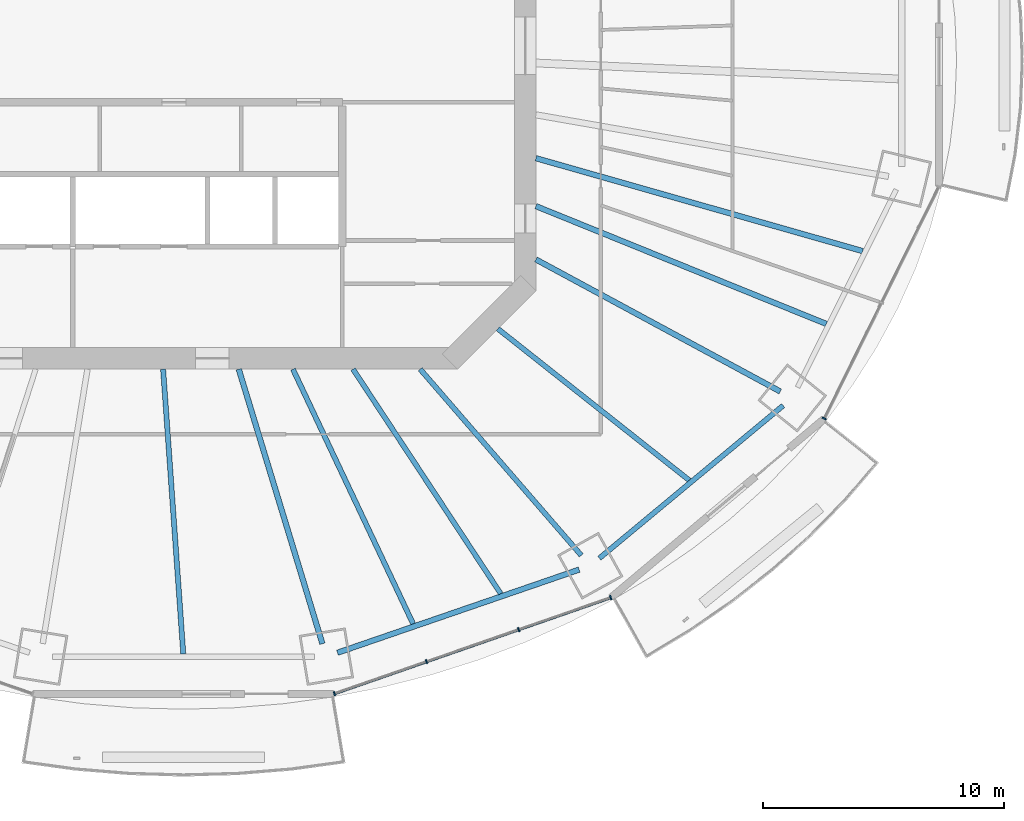
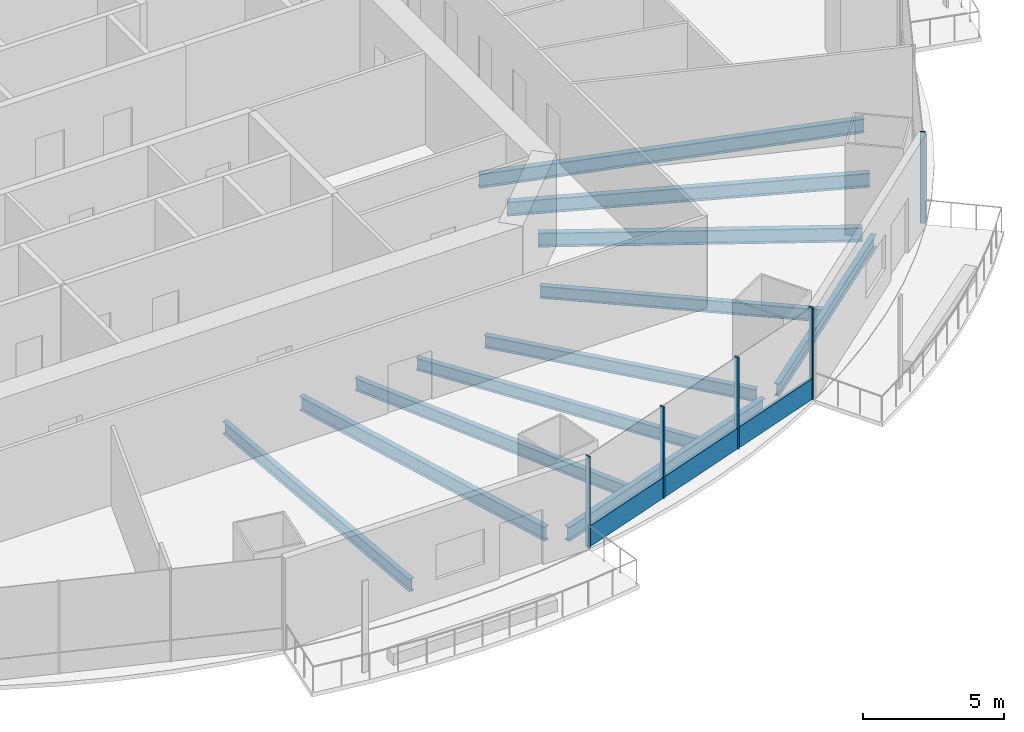
# One storey, part 4 of 20: 11 beams, 6 members, 2 elements without a shape of their own.
"""IFC4 building model written with IfcOpenShell, lengths in metres."""

from ifc_helpers import new_model, si_unit, direction, frame, origin, origin_2d, place, context, subcontext, project, spatial, rectangle, i_section, extrude, material, material_profile, profile_set, type_object, element, aggregate, save


model = new_model("IFC4")

# Units and contexts
model_context = context("Model", 3, precision=1e-05, world=origin(), true_north=direction((0.0, 1.0)))
body_context = subcontext(model_context, "Body", "Model", "MODEL_VIEW")
ifc_project = project(units=[si_unit("LENGTHUNIT", "METRE"), si_unit("AREAUNIT", "SQUARE_METRE"), si_unit("VOLUMEUNIT", "CUBIC_METRE"), si_unit("PLANEANGLEUNIT", "RADIAN"), si_unit("MASSUNIT", "GRAM", prefix="KILO")], contexts=[model_context])

# Site, building, storey
site_placement = place(None, origin())
site = spatial("IfcSite", under=ifc_project, at=site_placement, CompositionType="ELEMENT")
building_placement = place(site_placement, origin())
building = spatial("IfcBuilding", under=site, at=building_placement, Name="Marenthal Gate Tower", CompositionType="ELEMENT")
storey_placement = place(building_placement, frame((0.0, 0.0, 190.10009765625)))
storey = spatial("IfcBuildingStorey", under=building, at=storey_placement, Name="L41", CompositionType="ELEMENT", Elevation=190.10009765625)

# Curtain wall, members
ifc_material_1 = material(Name="Aluminium and glass", Category="aluminium")
curtain_wall_type = type_object("IfcCurtainWallType", Name="Curtain wall typical mid", PredefinedType="NOTDEFINED", material=ifc_material_1)
curtain_wall_1_placement = place(storey_placement, origin())
curtain_wall_1 = element("IfcCurtainWall", 1, at=curtain_wall_1_placement, inside=storey, type_object=curtain_wall_type, Name="Curtain wall L41 bay 13", PredefinedType="NOTDEFINED")
ifc_material_2 = material(Name="Aluminium", Category="aluminium")
ifc_material_profile_1 = material_profile(ifc_material_2, rectangle(XDim=0.179931640625, YDim=0.06005859375, at=origin_2d()), Name="60x180 aluminium mullion")
ifc_profile_set_1 = profile_set([ifc_material_profile_1], Name="Aluminium")
member_type_1 = type_object("IfcMemberType", Name="Mullion 60x180 typical mid", PredefinedType="MULLION", material=ifc_profile_set_1)
member_1_placement = place(storey_placement, frame((8.07421875, -26.93505859375, 0.0), z_axis=(0.0, 0.0, 1.0), x_axis=(-0.328273001535, 0.944582890203, 0.0)))
member_1 = element("IfcMember", 2, at=member_1_placement, type_object=member_type_1, Name="Mullion L41 bay 13.1", PredefinedType="MULLION", context=body_context, shape_type="SweptSolid", body=[
    extrude(rectangle(XDim=0.179931640625, YDim=0.06005859375, at=origin_2d()), origin(), (0.0, 0.0, 1.0), 3.969970703125),
])
member_2_placement = place(storey_placement, frame((11.902099609375, -25.604736328125, 0.0), z_axis=(0.0, 0.0, 1.0), x_axis=(-0.328273001535, 0.944582890203, 0.0)))
member_2 = element("IfcMember", 3, at=member_2_placement, type_object=member_type_1, Name="Mullion L41 bay 13.2", PredefinedType="MULLION", context=body_context, shape_type="SweptSolid", body=[
    extrude(rectangle(XDim=0.179931640625, YDim=0.06005859375, at=origin_2d()), origin(), (0.0, 0.0, 1.0), 3.969970703125),
])
member_3_placement = place(storey_placement, frame((15.730224609375, -24.2744140625, 0.0), z_axis=(0.0, 0.0, 1.0), x_axis=(-0.328273001535, 0.944582890203, 0.0)))
member_3 = element("IfcMember", 4, at=member_3_placement, type_object=member_type_1, Name="Mullion L41 bay 13.3", PredefinedType="MULLION", context=body_context, shape_type="SweptSolid", body=[
    extrude(rectangle(XDim=0.179931640625, YDim=0.06005859375, at=origin_2d()), origin(), (0.0, 0.0, 1.0), 3.969970703125),
])
member_4_placement = place(storey_placement, frame((19.558349609375, -22.94384765625, 0.0), z_axis=(0.0, 0.0, 1.0), x_axis=(-0.328273001535, 0.944582890203, 0.0)))
member_4 = element("IfcMember", 5, at=member_4_placement, type_object=member_type_1, Name="Mullion L41 bay 13.4", PredefinedType="MULLION", context=body_context, shape_type="SweptSolid", body=[
    extrude(rectangle(XDim=0.179931640625, YDim=0.06005859375, at=origin_2d()), origin(), (0.0, 0.0, 1.0), 3.969970703125),
])

# Curtain wall, member
curtain_wall_2_placement = place(storey_placement, origin())
curtain_wall_2 = element("IfcCurtainWall", 6, at=curtain_wall_2_placement, inside=storey, type_object=curtain_wall_type, Name="Curtain wall L41 bay 15", PredefinedType="NOTDEFINED")
member_5_placement = place(storey_placement, frame((28.432861328125, -15.496337890625, 0.0), z_axis=(0.0, 0.0, 1.0), x_axis=(-0.896680826174, 0.442677643406, 0.0)))
member_5 = element("IfcMember", 7, at=member_5_placement, type_object=member_type_1, Name="Mullion L41 bay 15.1", PredefinedType="MULLION", context=body_context, shape_type="SweptSolid", body=[
    extrude(rectangle(XDim=0.179931640625, YDim=0.06005859375, at=origin_2d()), origin(), (0.0, 0.0, 1.0), 3.969970703125),
])
aggregate(curtain_wall_2, [member_5])

# Member
ifc_material_3 = material(Name="Aluminium", Category="aluminium")
ifc_material_profile_2 = material_profile(ifc_material_3, rectangle(XDim=0.1201171875, YDim=0.89990234375, at=origin_2d()), Name="120x900 aluminium transom")
ifc_profile_set_2 = profile_set([ifc_material_profile_2], Name="Aluminium")
member_type_2 = type_object("IfcMemberType", Name="Transom 120x900 typical mid", PredefinedType="USERDEFINED", material=ifc_profile_set_2)
member_6_placement = place(storey_placement, frame((8.1025390625, -26.92529296875, 0.449951171875), z_axis=(0.944582522585, 0.328274059326, 0.0), x_axis=(-0.328274059326, 0.944582522585, 0.0)))
member_6 = element("IfcMember", 8, at=member_6_placement, type_object=member_type_2, Name="Transom L41 bay 13", ObjectType="TRANSOM", PredefinedType="USERDEFINED", context=body_context, shape_type="SweptSolid", body=[
    extrude(rectangle(XDim=0.1201171875, YDim=0.89990234375, at=origin_2d()), origin(), (0.0, 0.0, 1.0), 12.097900390625),
])

aggregate(curtain_wall_1, [member_1, member_2, member_3, member_4, member_6])

# Beams
ifc_material_4 = material(Name="Steel S355", Category="steel")
ifc_material_profile_3 = material_profile(ifc_material_4, i_section(OverallWidth=0.2099609375, OverallDepth=0.535888671875, WebThickness=0.010986328125, FlangeThickness=0.017333984375, FilletRadius=0.0126953125, at=origin_2d()), Name="W530X101")
ifc_profile_set_3 = profile_set([ifc_material_profile_3], Name="Steel S355")
beam_type_1 = type_object("IfcBeamType", Name="W530X101 beam", PredefinedType="BEAM", material=ifc_profile_set_3)
beam_1_placement = place(storey_placement, frame((14.98681640625, -22.780029296875, -0.447998046875), z_axis=(-0.549614895489, 0.835418138812, 0.0), x_axis=(-0.835418138812, -0.549614895489, 0.0)))
element("IfcBeam", 9, at=beam_1_placement, inside=storey, type_object=beam_type_1, Name="BM-L41-36", PredefinedType="BEAM", context=body_context, shape_type="SweptSolid", body=[
    extrude(i_section(OverallWidth=0.2099609375, OverallDepth=0.535888671875, WebThickness=0.010986328125, FlangeThickness=0.017333984375, FilletRadius=0.0126953125, at=origin_2d()), origin(), (0.0, 0.0, 1.0), 11.168212890625),
])
beam_2_placement = place(storey_placement, frame((22.822265625, -18.065673828125, -0.447998046875), z_axis=(-0.78407022225, 0.620672124862, 0.0), x_axis=(-0.620672124862, -0.78407022225, 0.0)))
element("IfcBeam", 10, at=beam_2_placement, inside=storey, type_object=beam_type_1, Name="BM-L41-37", PredefinedType="BEAM", context=body_context, shape_type="SweptSolid", body=[
    extrude(i_section(OverallWidth=0.2099609375, OverallDepth=0.535888671875, WebThickness=0.010986328125, FlangeThickness=0.017333984375, FilletRadius=0.0126953125, at=origin_2d()), origin(), (0.0, 0.0, 1.0), 10.145263671875),
])
ifc_material_5 = material(Name="Steel S355", Category="steel")
ifc_material_profile_4 = material_profile(ifc_material_5, i_section(OverallWidth=0.2119140625, OverallDepth=0.5439453125, WebThickness=0.01318359375, FlangeThickness=0.021240234375, FilletRadius=0.0126953125, at=origin_2d()), Name="W530X123")
ifc_profile_set_4 = profile_set([ifc_material_profile_4], Name="Steel S355")
beam_type_2 = type_object("IfcBeamType", Name="W530X123 beam", PredefinedType="BEAM", material=ifc_profile_set_4)
beam_3_placement = place(storey_placement, frame((18.333984375, -21.187255859375, -0.4521484375), z_axis=(-0.654352606016, 0.756189570809, 0.0), x_axis=(-0.756189570809, -0.654352606016, 0.0)))
element("IfcBeam", 11, at=beam_3_placement, inside=storey, type_object=beam_type_2, Name="BM-L41-14", PredefinedType="BEAM", context=body_context, shape_type="SweptSolid", body=[
    extrude(i_section(OverallWidth=0.2119140625, OverallDepth=0.5439453125, WebThickness=0.01318359375, FlangeThickness=0.021240234375, FilletRadius=0.0126953125, at=origin_2d()), origin(), (0.0, 0.0, 1.0), 10.23193359375),
])
beam_4_placement = place(storey_placement, frame((1.7919921875, -25.28076171875, -0.4521484375), z_axis=(-0.070707248885, 0.997497110249, 0.0), x_axis=(-0.997497110249, -0.070707248885, 0.0)))
element("IfcBeam", 12, at=beam_4_placement, inside=storey, type_object=beam_type_2, Name="BM-L41-34", PredefinedType="BEAM", context=body_context, shape_type="SweptSolid", body=[
    extrude(i_section(OverallWidth=0.2119140625, OverallDepth=0.5439453125, WebThickness=0.01318359375, FlangeThickness=0.021240234375, FilletRadius=0.0126953125, at=origin_2d()), origin(), (0.0, 0.0, 1.0), 11.860595703125),
])
beam_5_placement = place(storey_placement, frame((11.345458984375, -24.03271484375, -0.4521484375), z_axis=(-0.42689684646, 0.904300327592, 0.0), x_axis=(-0.904300327592, -0.42689684646, 0.0)))
element("IfcBeam", 13, at=beam_5_placement, inside=storey, type_object=beam_type_2, Name="BM-L41-35", PredefinedType="BEAM", context=body_context, shape_type="SweptSolid", body=[
    extrude(i_section(OverallWidth=0.2119140625, OverallDepth=0.5439453125, WebThickness=0.01318359375, FlangeThickness=0.021240234375, FilletRadius=0.0126953125, at=origin_2d()), origin(), (0.0, 0.0, 1.0), 11.70263671875),
])
beam_6_placement = place(storey_placement, frame((19.08740234375, -21.305908203125, -0.4521484375), z_axis=(0.769236112246, 0.638964634089, 0.0), x_axis=(-0.638964634089, 0.769236112246, 0.0)))
element("IfcBeam", 14, at=beam_6_placement, inside=storey, type_object=beam_type_2, Name="BM-L41-54", PredefinedType="BEAM", context=body_context, shape_type="SweptSolid", body=[
    extrude(i_section(OverallWidth=0.2119140625, OverallDepth=0.5439453125, WebThickness=0.01318359375, FlangeThickness=0.021240234375, FilletRadius=0.0126953125, at=origin_2d()), origin(), (0.0, 0.0, 1.0), 9.928955078125),
])
ifc_material_6 = material(Name="Steel S355", Category="steel")
ifc_material_profile_5 = material_profile(ifc_material_6, i_section(OverallWidth=0.22900390625, OverallDepth=0.612060546875, WebThickness=0.011962890625, FlangeThickness=0.01953125, FilletRadius=0.0126953125, at=origin_2d()), Name="W610X125")
ifc_profile_set_5 = profile_set([ifc_material_profile_5], Name="Steel S355")
beam_type_3 = type_object("IfcBeamType", Name="W610X125 beam", PredefinedType="BEAM", material=ifc_profile_set_5)
beam_7_placement = place(storey_placement, frame((7.57470703125, -24.8603515625, -0.486083984375), z_axis=(-0.291474345726, 0.956578645896, 0.0), x_axis=(-0.956578645896, -0.291474345726, 0.0)))
element("IfcBeam", 15, at=beam_7_placement, inside=storey, type_object=beam_type_3, Name="BM-L41-13", PredefinedType="BEAM", context=body_context, shape_type="SweptSolid", body=[
    extrude(i_section(OverallWidth=0.22900390625, OverallDepth=0.612060546875, WebThickness=0.011962890625, FlangeThickness=0.01953125, FilletRadius=0.0126953125, at=origin_2d()), origin(), (0.0, 0.0, 1.0), 11.928466796875),
])
beam_8_placement = place(storey_placement, frame((26.6064453125, -14.37548828125, -0.486083984375), z_axis=(-0.879795204452, 0.475352919653, 0.0), x_axis=(-0.475352919653, -0.879795204452, 0.0)))
element("IfcBeam", 16, at=beam_8_placement, inside=storey, type_object=beam_type_3, Name="BM-L41-15", PredefinedType="BEAM", context=body_context, shape_type="SweptSolid", body=[
    extrude(i_section(OverallWidth=0.22900390625, OverallDepth=0.612060546875, WebThickness=0.011962890625, FlangeThickness=0.01953125, FilletRadius=0.0126953125, at=origin_2d()), origin(), (0.0, 0.0, 1.0), 11.544189453125),
])
beam_9_placement = place(storey_placement, frame((28.522216796875, -11.567626953125, -0.486083984375), z_axis=(-0.926690233528, 0.375826038326, 0.0), x_axis=(-0.375826038326, -0.926690233528, 0.0)))
element("IfcBeam", 17, at=beam_9_placement, inside=storey, type_object=beam_type_3, Name="BM-L41-38", PredefinedType="BEAM", context=body_context, shape_type="SweptSolid", body=[
    extrude(i_section(OverallWidth=0.22900390625, OverallDepth=0.612060546875, WebThickness=0.011962890625, FlangeThickness=0.01953125, FilletRadius=0.0126953125, at=origin_2d()), origin(), (0.0, 0.0, 1.0), 13.02734375),
])
beam_10_placement = place(storey_placement, frame((30.031494140625, -8.540283203125, -0.486083984375), z_axis=(-0.961862496817, 0.273533429798, 0.0), x_axis=(-0.273533429798, -0.961862496817, 0.0)))
element("IfcBeam", 18, at=beam_10_placement, inside=storey, type_object=beam_type_3, Name="BM-L41-39", PredefinedType="BEAM", context=body_context, shape_type="SweptSolid", body=[
    extrude(i_section(OverallWidth=0.22900390625, OverallDepth=0.612060546875, WebThickness=0.011962890625, FlangeThickness=0.01953125, FilletRadius=0.0126953125, at=origin_2d()), origin(), (0.0, 0.0, 1.0), 14.1201171875),
])
beam_11_placement = place(storey_placement, frame((8.199951171875, -25.236083984375, -0.486083984375), z_axis=(0.945594274162, 0.325348226785, 0.0), x_axis=(-0.325348226785, 0.945594274162, 0.0)))
element("IfcBeam", 19, at=beam_11_placement, inside=storey, type_object=beam_type_3, Name="BM-L41-53", PredefinedType="BEAM", context=body_context, shape_type="SweptSolid", body=[
    extrude(i_section(OverallWidth=0.22900390625, OverallDepth=0.612060546875, WebThickness=0.011962890625, FlangeThickness=0.01953125, FilletRadius=0.0126953125, at=origin_2d()), origin(), (0.0, 0.0, 1.0), 10.623291015625),
])

save(model, "model.ifc")
